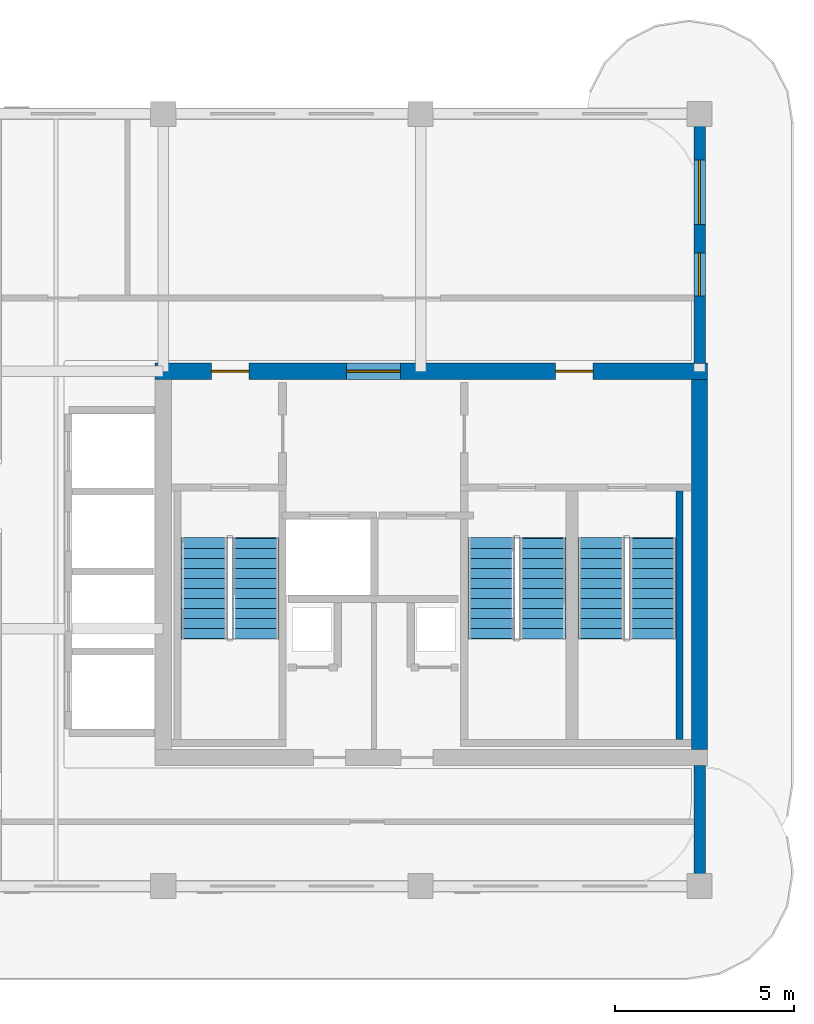
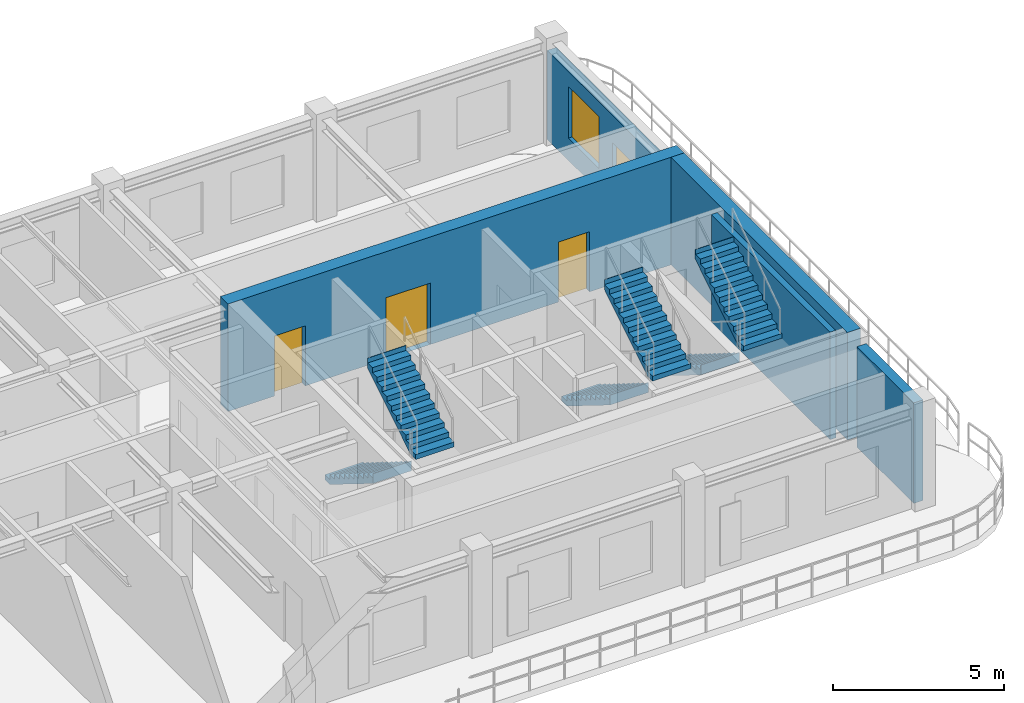
# One storey, part 5 of 7: 6 stair flights, 5 walls, 4 doors, 1 window, 5 openings, 3 elements without a shape of their own.
"""IFC4 building model written with IfcOpenShell, lengths in metres."""

from ifc_helpers import new_model, si_unit, derived_unit, direction, frame, frame_2d, origin, place, context, subcontext, project, spatial, polyline, rectangle, outline, extrude, source, transform, mapped, material, layer, layer_set, type_object, type_shapes, element, fill, aggregate, save


model = new_model("IFC4")

# Units and contexts
model_context = context("Model", 3, precision=1e-05, world=origin(), true_north=direction((0.0, 1.0)))
body_context = subcontext(model_context, "Body", "Model", "MODEL_VIEW")
ifc_project = project(units=[si_unit("LENGTHUNIT", "METRE"), si_unit("AREAUNIT", "SQUARE_METRE"), si_unit("VOLUMEUNIT", "CUBIC_METRE"), si_unit("PLANEANGLEUNIT", "RADIAN"), si_unit("MASSUNIT", "GRAM", prefix="KILO"), si_unit("THERMODYNAMICTEMPERATUREUNIT", "KELVIN"), si_unit("POWERUNIT", "WATT"), derived_unit("THERMALTRANSMITTANCEUNIT", [(si_unit("POWERUNIT", "WATT"), 1), (si_unit("AREAUNIT", "SQUARE_METRE"), -1), (si_unit("THERMODYNAMICTEMPERATUREUNIT", "KELVIN"), -1)])], contexts=[model_context])

# Site, building, storey
site_placement = place(None, origin())
site = spatial("IfcSite", under=ifc_project, at=site_placement, CompositionType="ELEMENT")
building_placement = place(site_placement, origin())
building = spatial("IfcBuilding", under=site, at=building_placement, Name="Zahravan Archway Hotel and Residences", CompositionType="ELEMENT")
storey_placement = place(building_placement, frame((0.0, 0.0, 278.89990234375)))
storey = spatial("IfcBuildingStorey", under=building, at=storey_placement, Name="L70", CompositionType="ELEMENT", Elevation=278.89990234375)

# Wall, openings, doors
ifc_material_1 = material(Name="Concrete C50/60", Category="concrete")
ifc_layer_1 = layer(ifc_material_1, 0.449951171875, Name="Concrete C50/60", Category="concrete")
ifc_layer_set_1 = layer_set([ifc_layer_1], Name="Concrete C50/60")
wall_type_1 = type_object("IfcWallType", Name="CW-CORE-450", PredefinedType="SHEAR", material=ifc_layer_set_1)
wall_1_placement = place(storey_placement, frame((34.574951171875, 14.39990234375, 0.0), z_axis=(0.0, 0.0, 1.0), x_axis=(1.0, 0.0, 0.0)))
wall_1 = element("IfcWall", 1, at=wall_1_placement, inside=storey, type_object=wall_type_1, Name="L70 Core A Shear N Wall 450 mm", PredefinedType="SHEAR", context=body_context, shape_type="SweptSolid", body=[
    extrude(rectangle(XDim=15.449951171875, YDim=0.449951171875, at=frame_2d((7.72509765625, 0.0))), origin(), (0.0, 0.0, 1.0), 3.85009765625),
])
opening_1_placement = place(wall_1_placement, frame((5.35498046875, 0.0, 0.0)))
opening_1 = element("IfcOpeningElement", 2, at=opening_1_placement, cuts=wall_1, Name="Opening FD-L1", PredefinedType="OPENING", context=body_context, shape_type="SweptSolid", body=[
    extrude(rectangle(XDim=1.5, YDim=2.199951171875, at=frame_2d((0.75, 1.10009765625))), frame((0.0, 0.23486328125, 0.0), z_axis=(0.0, -1.0, 0.0), x_axis=(1.0, 0.0, 0.0)), (0.0, 0.0, 1.0), 0.469970703125),
])
opening_2_placement = place(wall_1_placement, frame((1.570068359375, 0.0, 0.0)))
opening_2 = element("IfcOpeningElement", 3, at=opening_2_placement, cuts=wall_1, Name="Opening FD-L2", PredefinedType="OPENING", context=body_context, shape_type="SweptSolid", body=[
    extrude(rectangle(XDim=1.050048828125, YDim=2.14990234375, at=frame_2d((0.52490234375, 1.074951171875))), frame((0.0, 0.23486328125, 0.0), z_axis=(0.0, -1.0, 0.0), x_axis=(1.0, 0.0, 0.0)), (0.0, 0.0, 1.0), 0.469970703125),
])
opening_3_placement = place(wall_1_placement, frame((11.199951171875, 0.0, 0.0)))
opening_3 = element("IfcOpeningElement", 4, at=opening_3_placement, cuts=wall_1, Name="Opening FD-L2", PredefinedType="OPENING", context=body_context, shape_type="SweptSolid", body=[
    extrude(rectangle(XDim=1.050048828125, YDim=2.14990234375, at=frame_2d((0.52490234375, 1.074951171875))), frame((0.0, 0.23486328125, 0.0), z_axis=(0.0, -1.0, 0.0), x_axis=(1.0, 0.0, 0.0)), (0.0, 0.0, 1.0), 0.469970703125),
])
ifc_material_2 = material(Name="Fire-Rated Painted Steel", Category="steel")
door_type_1 = type_object("IfcDoorType", Name="FD-LOBBY-1100", OperationType="NOTDEFINED", PredefinedType="DOOR", material=ifc_material_2)
shared_shape_1 = source(origin(), body_context, "Body", "SweptSolid", [
    extrude(rectangle(XDim=1.050048828125, YDim=2.14990234375, at=frame_2d((0.52490234375, 1.074951171875))), frame((0.0, 0.02490234375, 0.0), z_axis=(0.0, -1.0, 0.0), x_axis=(1.0, 0.0, 0.0)), (0.0, 0.0, 1.0), 0.050048828125),
])
type_shapes(door_type_1, [shared_shape_1])
door_1_placement = place(opening_2_placement, origin())
door_1 = element("IfcDoor", 5, at=door_1_placement, inside=storey, type_object=door_type_1, Name="L70 Core A West Stair Lobby Door", OperationType="SINGLE_SWING_RIGHT", OverallHeight=2.14990234375, OverallWidth=1.050048828125, PredefinedType="DOOR", context=body_context, shape_type="MappedRepresentation", body=[
    mapped(shared_shape_1, transform((0.0, 0.0, 0.0), scale=1.0)),
])
fill(opening_2, door_1)
door_2_placement = place(opening_3_placement, origin())
door_2 = element("IfcDoor", 6, at=door_2_placement, inside=storey, type_object=door_type_1, Name="L70 Core A East Stair Lobby Door", OperationType="SINGLE_SWING_LEFT", OverallHeight=2.14990234375, OverallWidth=1.050048828125, PredefinedType="DOOR", context=body_context, shape_type="MappedRepresentation", body=[
    mapped(shared_shape_1, transform((0.0, 0.0, 0.0), scale=1.0)),
])
fill(opening_3, door_2)
door_type_2 = type_object("IfcDoorType", Name="FD-LOBBY-1500", OperationType="DOUBLE_DOOR_SINGLE_SWING", PredefinedType="DOOR", material=ifc_material_2)
shared_shape_2 = source(origin(), body_context, "Body", "SweptSolid", [
    extrude(rectangle(XDim=1.5, YDim=2.199951171875, at=frame_2d((0.75, 1.10009765625))), frame((0.0, 0.02490234375, 0.0), z_axis=(0.0, -1.0, 0.0), x_axis=(1.0, 0.0, 0.0)), (0.0, 0.0, 1.0), 0.050048828125),
])
type_shapes(door_type_2, [shared_shape_2])
door_3_placement = place(opening_1_placement, origin())
door_3 = element("IfcDoor", 7, at=door_3_placement, inside=storey, type_object=door_type_2, Name="L70 Core A FSAE Lobby Main Door", OperationType="DOUBLE_DOOR_SINGLE_SWING", OverallHeight=2.199951171875, OverallWidth=1.5, PredefinedType="DOOR", context=body_context, shape_type="MappedRepresentation", body=[
    mapped(shared_shape_2, transform((0.0, 0.0, 0.0), scale=1.0)),
])
fill(opening_1, door_3)

# Walls
wall_2_placement = place(storey_placement, frame((49.800048828125, 3.824951171875, 0.0), z_axis=(0.0, 0.0, 1.0), x_axis=(0.0, 1.0, 0.0)))
element("IfcWall", 8, at=wall_2_placement, inside=storey, type_object=wall_type_1, Name="L70 Core A Shear E Wall 450 mm", PredefinedType="SHEAR", context=body_context, shape_type="SweptSolid", body=[
    extrude(rectangle(XDim=10.35009765625, YDim=0.449951171875, at=frame_2d((5.175048828125, 0.0))), origin(), (0.0, 0.0, 1.0), 3.85009765625),
])
ifc_material_3 = material(Name="Agra Buff Sandstone & Insulated Backup", Category="masonry")
ifc_layer_2 = layer(ifc_material_3, 0.320068359375, Name="Agra Buff Sandstone & Insulated Backup", Category="masonry")
ifc_layer_set_2 = layer_set([ifc_layer_2], Name="Agra Buff Sandstone & Insulated Backup")
wall_type_2 = type_object("IfcWallType", Name="EW-SAND-320", PredefinedType="SOLIDWALL", material=ifc_layer_set_2)
wall_3_placement = place(storey_placement, frame((49.800048828125, 0.050048828125, 0.0), z_axis=(0.0, 0.0, 1.0), x_axis=(0.0, 1.0, 0.0)))
element("IfcWall", 9, at=wall_3_placement, inside=storey, type_object=wall_type_2, Name="L70 Exterior Sandstone Wall WA-ES", PredefinedType="SOLIDWALL", context=body_context, shape_type="SweptSolid", body=[
    extrude(rectangle(XDim=3.329833984375, YDim=0.320068359375, at=frame_2d((1.6650390625, 0.0))), origin(), (0.0, 0.0, 1.0), 3.60009765625),
])

# Wall, openings, door, window
wall_4_placement = place(storey_placement, frame((49.800048828125, 14.6201171875, 0.0), z_axis=(0.0, 0.0, 1.0), x_axis=(0.0, 1.0, 0.0)))
wall_4 = element("IfcWall", 10, at=wall_4_placement, inside=storey, type_object=wall_type_2, Name="L70 Exterior Sandstone Wall WA-EN", PredefinedType="SOLIDWALL", context=body_context, shape_type="SweptSolid", body=[
    extrude(rectangle(XDim=6.929931640625, YDim=0.320068359375, at=frame_2d((3.46484375, 0.0))), origin(), (0.0, 0.0, 1.0), 3.18505859375),
])
opening_4_placement = place(wall_4_placement, frame((1.888916015625, 0.0, 0.0)))
opening_4 = element("IfcOpeningElement", 11, at=opening_4_placement, cuts=wall_4, Name="Opening ED-BL1", PredefinedType="OPENING", context=body_context, shape_type="SweptSolid", body=[
    extrude(rectangle(XDim=1.199951171875, YDim=2.199951171875, at=frame_2d((0.60009765625, 1.10009765625))), frame((0.0, 0.169921875, 0.0), z_axis=(0.0, -1.0, 0.0), x_axis=(1.0, 0.0, 0.0)), (0.0, 0.0, 1.0), 0.340087890625),
])
opening_5_placement = place(wall_4_placement, frame((3.884033203125, 0.0, 0.800048828125)))
opening_5 = element("IfcOpeningElement", 12, at=opening_5_placement, cuts=wall_4, Name="Opening W-02", PredefinedType="OPENING", context=body_context, shape_type="SweptSolid", body=[
    extrude(rectangle(XDim=1.800048828125, YDim=1.85009765625, at=frame_2d((0.89990234375, 0.925048828125))), frame((0.0, 0.169921875, 0.0), z_axis=(0.0, -1.0, 0.0), x_axis=(1.0, 0.0, 0.0)), (0.0, 0.0, 1.0), 0.340087890625),
])
ifc_material_4 = material(Name="Bronze-Anodized Glazed Aluminium", Category="aluminium")
door_type_3 = type_object("IfcDoorType", Name="ED-BALC-1200", OperationType="SLIDING_TO_LEFT", PredefinedType="DOOR", material=ifc_material_4)
shared_shape_3 = source(origin(), body_context, "Body", "SweptSolid", [
    extrude(rectangle(XDim=1.199951171875, YDim=2.199951171875, at=frame_2d((0.60009765625, 1.10009765625))), frame((0.0, 0.02490234375, 0.0), z_axis=(0.0, -1.0, 0.0), x_axis=(1.0, 0.0, 0.0)), (0.0, 0.0, 1.0), 0.050048828125),
])
type_shapes(door_type_3, [shared_shape_3])
door_4_placement = place(opening_4_placement, origin())
door_4 = element("IfcDoor", 13, at=door_4_placement, inside=storey, type_object=door_type_3, Name="L70 Outdoor Access Sliding Door (SLB-BAL-L70-EA)", OperationType="SLIDING_TO_LEFT", OverallHeight=2.199951171875, OverallWidth=1.199951171875, PredefinedType="DOOR", context=body_context, shape_type="MappedRepresentation", body=[
    mapped(shared_shape_3, transform((0.0, 0.0, 0.0), scale=1.0)),
])
fill(opening_4, door_4)
ifc_material_5 = material(Name="Bronze-Anodized Thermal-Break Aluminium & Low-E Glass", Category="aluminium")
window_type = type_object("IfcWindowType", Name="WIN-TWR-1800", PartitioningType="DOUBLE_PANEL_VERTICAL", PredefinedType="WINDOW", material=ifc_material_5)
shared_shape_4 = source(origin(), body_context, "Body", "SweptSolid", [
    extrude(rectangle(XDim=1.800048828125, YDim=1.85009765625, at=frame_2d((0.89990234375, 0.925048828125))), frame((0.0, 0.030029296875, 0.0), z_axis=(0.0, -1.0, 0.0), x_axis=(1.0, 0.0, 0.0)), (0.0, 0.0, 1.0), 0.06005859375),
])
type_shapes(window_type, [shared_shape_4])
window_placement = place(opening_5_placement, origin())
window = element("IfcWindow", 14, at=window_placement, inside=storey, type_object=window_type, Name="L70 Loggia Window 09", OverallHeight=1.85009765625, OverallWidth=1.800048828125, PartitioningType="DOUBLE_PANEL_VERTICAL", PredefinedType="WINDOW", context=body_context, shape_type="MappedRepresentation", body=[
    mapped(shared_shape_4, transform((0.0, 0.0, 0.0), scale=1.0)),
])
fill(opening_5, window)

# Wall
ifc_layer_3 = layer(ifc_material_1, 0.199951171875, Name="Concrete C50/60", Category="concrete")
ifc_layer_set_3 = layer_set([ifc_layer_3], Name="Concrete C50/60")
wall_type_3 = type_object("IfcWallType", Name="SW-STAIR-200", PredefinedType="SHEAR", material=ifc_layer_set_3)
wall_5_placement = place(storey_placement, frame((49.239990234375, 4.10009765625, 0.0), z_axis=(0.0, 0.0, 1.0), x_axis=(0.0, 1.0, 0.0)))
element("IfcWall", 15, at=wall_5_placement, inside=storey, type_object=wall_type_3, Name="L70 Stairwell RC Wall CA-SA3E", PredefinedType="SHEAR", context=body_context, shape_type="SweptSolid", body=[
    extrude(rectangle(XDim=6.949951171875, YDim=0.199951171875, at=frame_2d((3.47509765625, 0.0))), origin(), (0.0, 0.0, 1.0), 3.85009765625),
])

# Stair, stair flights
stair_type = type_object("IfcStairType", Name="STR-CORE-1300", PredefinedType="HALF_TURN_STAIR", material=ifc_material_1)
stair_1_placement = place(storey_placement, origin())
stair_1 = element("IfcStair", 16, at=stair_1_placement, inside=storey, type_object=stair_type, Name="L70 Core A Exit Stair 1", PredefinedType="HALF_TURN_STAIR")
ifc_layer_4 = layer(ifc_material_1, 0.199951171875, Name="Concrete C50/60", Category="concrete")
ifc_layer_set_4 = layer_set([ifc_layer_4], Name="Concrete C50/60")
stair_flight_type = type_object("IfcStairFlightType", Name="SFL-CORE-1300", PredefinedType="STRAIGHT", material=ifc_layer_set_4)
shared_shape_5 = source(origin(), body_context, "Body", "SweptSolid", [
    extrude(outline(polyline([(-0.01611328125, 0.0), (-0.01611328125, 0.175048828125), (0.280029296875, 0.175048828125), (0.280029296875, 0.35009765625), (0.56005859375, 0.35009765625), (0.56005859375, 0.52490234375), (0.840087890625, 0.52490234375), (0.840087890625, 0.699951171875), (1.1201171875, 0.699951171875), (1.1201171875, 0.875), (1.39990234375, 0.875), (1.39990234375, 1.050048828125), (1.679931640625, 1.050048828125), (1.679931640625, 1.22509765625), (1.9599609375, 1.22509765625), (1.9599609375, 1.39990234375), (2.239990234375, 1.39990234375), (2.239990234375, 1.574951171875), (2.52001953125, 1.574951171875), (2.52001953125, 1.75), (2.800048828125, 1.75), (2.800048828125, 1.925048828125), (2.816162109375, 1.925048828125), (2.816162109375, 1.5732421875), (0.28271484375, 0.0), (-0.01611328125, 0.0)])), frame((0.0, 0.64990234375, 0.0), z_axis=(0.0, -1.0, 0.0), x_axis=(1.0, 0.0, 0.0)), (0.0, 0.0, 1.0), 1.300048828125),
])
stair_flight_1_placement = place(storey_placement, frame((35.949951171875, 9.72998046875, 0.0), z_axis=(0.0, 0.0, 1.0), x_axis=(0.0, -1.0, 0.0)))
stair_flight_1 = element("IfcStairFlight", 17, at=stair_flight_1_placement, type_object=stair_flight_type, Name="ST-A1 flight 1", NumberOfRisers=11, NumberOfTreads=10, PredefinedType="STRAIGHT", RiserHeight=0.175, TreadLength=0.28, context=body_context, shape_type="MappedRepresentation", body=[
    mapped(shared_shape_5, transform((0.0, 0.0, 0.0), scale=1.0)),
])
stair_flight_2_placement = place(storey_placement, frame((37.389892578125, 6.929931640625, 1.925048828125), z_axis=(0.0, 0.0, 1.0), x_axis=(0.0, 1.0, 0.0)))
stair_flight_2 = element("IfcStairFlight", 18, at=stair_flight_2_placement, type_object=stair_flight_type, Name="ST-A1 flight 2", NumberOfRisers=11, NumberOfTreads=10, PredefinedType="STRAIGHT", RiserHeight=0.175, TreadLength=0.28, context=body_context, shape_type="MappedRepresentation", body=[
    mapped(shared_shape_5, transform((0.0, 0.0, 0.0), scale=1.0)),
])
aggregate(stair_1, [stair_flight_1, stair_flight_2])

stair_2_placement = place(storey_placement, origin())
stair_2 = element("IfcStair", 19, at=stair_2_placement, inside=storey, type_object=stair_type, Name="L70 Core A Exit Stair 2", PredefinedType="HALF_TURN_STAIR")
stair_flight_3_placement = place(storey_placement, frame((43.969970703125, 9.72998046875, 0.0), z_axis=(0.0, 0.0, 1.0), x_axis=(0.0, -1.0, 0.0)))
stair_flight_3 = element("IfcStairFlight", 20, at=stair_flight_3_placement, type_object=stair_flight_type, Name="ST-A2 flight 1", NumberOfRisers=11, NumberOfTreads=10, PredefinedType="STRAIGHT", RiserHeight=0.175, TreadLength=0.28, context=body_context, shape_type="MappedRepresentation", body=[
    mapped(shared_shape_5, transform((0.0, 0.0, 0.0), scale=1.0)),
])
stair_flight_4_placement = place(storey_placement, frame((45.409912109375, 6.929931640625, 1.925048828125), z_axis=(0.0, 0.0, 1.0), x_axis=(0.0, 1.0, 0.0)))
stair_flight_4 = element("IfcStairFlight", 21, at=stair_flight_4_placement, type_object=stair_flight_type, Name="ST-A2 flight 2", NumberOfRisers=11, NumberOfTreads=10, PredefinedType="STRAIGHT", RiserHeight=0.175, TreadLength=0.28, context=body_context, shape_type="MappedRepresentation", body=[
    mapped(shared_shape_5, transform((0.0, 0.0, 0.0), scale=1.0)),
])
aggregate(stair_2, [stair_flight_3, stair_flight_4])

stair_3_placement = place(storey_placement, origin())
stair_3 = element("IfcStair", 22, at=stair_3_placement, inside=storey, type_object=stair_type, Name="L70 Core A Exit Stair 3", PredefinedType="HALF_TURN_STAIR")
stair_flight_5_placement = place(storey_placement, frame((47.050048828125, 9.72998046875, 0.0), z_axis=(0.0, 0.0, 1.0), x_axis=(0.0, -1.0, 0.0)))
stair_flight_5 = element("IfcStairFlight", 23, at=stair_flight_5_placement, type_object=stair_flight_type, Name="ST-A3 flight 1", NumberOfRisers=11, NumberOfTreads=10, PredefinedType="STRAIGHT", RiserHeight=0.175, TreadLength=0.28, context=body_context, shape_type="MappedRepresentation", body=[
    mapped(shared_shape_5, transform((0.0, 0.0, 0.0), scale=1.0)),
])
stair_flight_6_placement = place(storey_placement, frame((48.489990234375, 6.929931640625, 1.925048828125), z_axis=(0.0, 0.0, 1.0), x_axis=(0.0, 1.0, 0.0)))
stair_flight_6 = element("IfcStairFlight", 24, at=stair_flight_6_placement, type_object=stair_flight_type, Name="ST-A3 flight 2", NumberOfRisers=11, NumberOfTreads=10, PredefinedType="STRAIGHT", RiserHeight=0.175, TreadLength=0.28, context=body_context, shape_type="MappedRepresentation", body=[
    mapped(shared_shape_5, transform((0.0, 0.0, 0.0), scale=1.0)),
])
aggregate(stair_3, [stair_flight_5, stair_flight_6])

save(model, "model.ifc")
